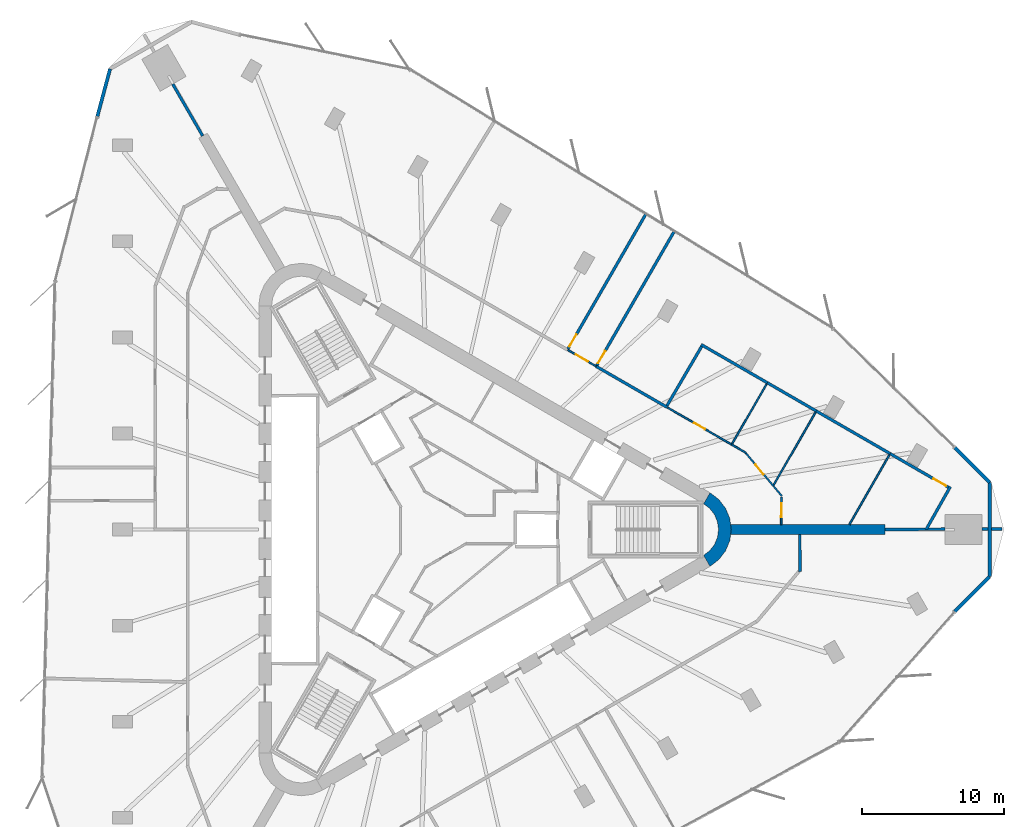
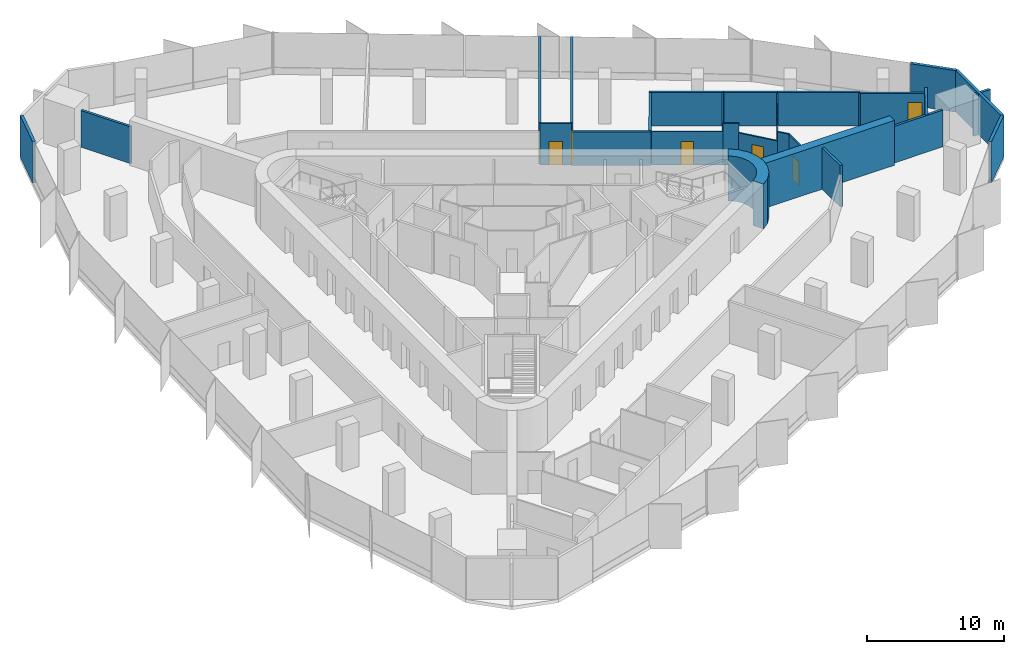
# One storey, part 12 of 14: 29 walls, 7 doors, 7 openings.
"""IFC4 building model written with IfcOpenShell, lengths in metres."""

from ifc_helpers import new_model, si_unit, direction, frame, frame_2d, origin, place, context, subcontext, project, spatial, polyline, rectangle, outline, extrude, material, layer, layer_set, type_object, element, fill, save


model = new_model("IFC4")

# Units and contexts
model_context = context("Model", 3, precision=1e-05, world=origin(), true_north=direction((0.0, 1.0)))
body_context = subcontext(model_context, "Body", "Model", "MODEL_VIEW")
ifc_project = project(units=[si_unit("LENGTHUNIT", "METRE"), si_unit("AREAUNIT", "SQUARE_METRE"), si_unit("VOLUMEUNIT", "CUBIC_METRE"), si_unit("PLANEANGLEUNIT", "RADIAN"), si_unit("MASSUNIT", "GRAM", prefix="KILO")], contexts=[model_context])

# Site, building, storey
site_placement = place(None, origin())
site = spatial("IfcSite", under=ifc_project, at=site_placement, CompositionType="ELEMENT")
building_placement = place(site_placement, origin())
building = spatial("IfcBuilding", under=site, at=building_placement, Name="Tanit Gate Tower", CompositionType="ELEMENT")
storey_placement = place(building_placement, frame((0.0, 0.0, 241.199951171875)))
storey = spatial("IfcBuildingStorey", under=building, at=storey_placement, Name="L54", CompositionType="ELEMENT", Elevation=241.199951171875)

# Walls
ifc_material_1 = material(Name="Concrete C50/60", Category="concrete")
ifc_layer_1 = layer(ifc_material_1, 0.699951171875)
ifc_layer_set_1 = layer_set([ifc_layer_1], Name="BUTTRESS FIN 700 C50/60")
wall_type_1 = type_object("IfcWallType", Name="BUTTRESS FIN 700 C50/60", PredefinedType="SHEAR", material=ifc_layer_set_1)
wall_1_placement = place(storey_placement, frame((21.14990234375, 0.0, 0.0), z_axis=(0.0, 0.0, 1.0), x_axis=(1.0, 0.0, 0.0)))
element("IfcWall", 1, at=wall_1_placement, inside=storey, type_object=wall_type_1, Name="BUTTRESS FIN", PredefinedType="SHEAR", context=body_context, shape_type="SweptSolid", body=[
    extrude(rectangle(XDim=10.900390625, YDim=0.699951171875, at=frame_2d((5.4501953125, 0.0))), origin(), (0.0, 0.0, 1.0), 4.0),
])
ifc_material_2 = material(Name="Concrete C50/60", Category="concrete")
ifc_layer_2 = layer(ifc_material_2, 0.89990234375)
ifc_layer_set_2 = layer_set([ifc_layer_2], Name="CORE WALL 900 C50/60")
wall_type_2 = type_object("IfcWallType", Name="CORE WALL 900 C50/60", PredefinedType="SHEAR", material=ifc_layer_set_2)
wall_2_placement = place(storey_placement, origin())
element("IfcWall", 2, at=wall_2_placement, inside=storey, type_object=wall_type_2, Name="CORE WALL CORNER", PredefinedType="SHEAR", context=body_context, shape_type="SweptSolid", body=[
    extrude(outline(polyline([(19.699951171875, -2.59814453125), (20.3212890625, -2.121337890625), (20.798095703125, -1.5), (21.097900390625, -0.776611328125), (21.199951171875, 0.0), (21.097900390625, 0.776611328125), (20.798095703125, 1.5), (20.3212890625, 2.121337890625), (19.699951171875, 2.59814453125), (19.25, 1.818603515625), (19.684814453125, 1.48486328125), (20.018798828125, 1.050048828125), (20.228515625, 0.54345703125), (20.300048828125, 0.0), (20.228515625, -0.54345703125), (20.018798828125, -1.050048828125), (19.684814453125, -1.48486328125), (19.25, -1.818603515625), (19.699951171875, -2.59814453125)])), origin(), (0.0, 0.0, 1.0), 4.0),
])
ifc_material_3 = material(Name="Concrete C30/37 with bronze anodised aluminium cladding", Category="concrete")
ifc_layer_3 = layer(ifc_material_3, 0.239990234375)
ifc_layer_set_3 = layer_set([ifc_layer_3], Name="Facade wall bronze clad 240")
wall_type_3 = type_object("IfcWallType", Name="Facade wall bronze clad 240", PredefinedType="SOLIDWALL", material=ifc_layer_set_3)
wall_3_placement = place(storey_placement, frame((-22.5791015625, 32.465576171875, 0.0), z_axis=(0.0, 0.0, 1.0), x_axis=(-0.25885800589, -0.965915385935, 0.0)))
element("IfcWall", 3, at=wall_3_placement, inside=storey, type_object=wall_type_3, Name="Bronze-clad facade wall L54 NW.arc3", PredefinedType="SOLIDWALL", context=body_context, shape_type="SweptSolid", body=[
    extrude(rectangle(XDim=3.4697265625, YDim=0.239990234375, at=frame_2d((1.73486328125, 0.0))), origin(), (0.0, 0.0, 1.0), 3.699951171875),
])
wall_4_placement = place(storey_placement, frame((36.948974609375, -5.77783203125, 0.0), z_axis=(0.0, 0.0, 1.0), x_axis=(0.707141916054, 0.707071644573, 0.0)))
element("IfcWall", 4, at=wall_4_placement, inside=storey, type_object=wall_type_3, Name="Bronze-clad facade wall L54 E.arc1", PredefinedType="SOLIDWALL", context=body_context, shape_type="SweptSolid", body=[
    extrude(rectangle(XDim=3.474365234375, YDim=0.239990234375, at=frame_2d((1.7373046875, 0.0))), origin(), (0.0, 0.0, 1.0), 3.699951171875),
])
wall_5_placement = place(storey_placement, frame((39.40576171875, -3.3212890625, 0.0), z_axis=(0.0, 0.0, 1.0), x_axis=(0.0, 1.0, 0.0)))
element("IfcWall", 5, at=wall_5_placement, inside=storey, type_object=wall_type_3, Name="Bronze-clad facade wall L54 E.arc2", PredefinedType="SOLIDWALL", context=body_context, shape_type="SweptSolid", body=[
    extrude(rectangle(XDim=6.642578125, YDim=0.239990234375, at=frame_2d((3.3212890625, 0.0))), origin(), (0.0, 0.0, 1.0), 3.699951171875),
])
wall_6_placement = place(storey_placement, frame((39.40576171875, 3.3212890625, 0.0), z_axis=(0.0, 0.0, 1.0), x_axis=(-0.707106781187, 0.707106781187, 0.0)))
element("IfcWall", 6, at=wall_6_placement, inside=storey, type_object=wall_type_3, Name="Bronze-clad facade wall L54 E.arc3", PredefinedType="SOLIDWALL", context=body_context, shape_type="SweptSolid", body=[
    extrude(rectangle(XDim=3.469970703125, YDim=0.239990234375, at=frame_2d((1.73486328125, 0.0))), origin(), (0.0, 0.0, 1.0), 3.699951171875),
])
ifc_material_4 = material(Name="Fire-rated gypsum board partition")
ifc_layer_4 = layer(ifc_material_4, 0.199951171875)
ifc_layer_set_4 = layer_set([ifc_layer_4], Name="INT-WALL-COMPARTMENT")
wall_type_4 = type_object("IfcWallType", Name="INT-WALL-COMPARTMENT", PredefinedType="PARTITIONING", material=ifc_layer_set_4)
wall_7_placement = place(storey_placement, frame((16.6728515625, 8.6181640625, 0.0), z_axis=(0.0, 0.0, 1.0), x_axis=(-0.866014659605, 0.500018609004, 0.0)))
element("IfcWall", 7, at=wall_7_placement, inside=storey, type_object=wall_type_4, Name="Wall Compartment W107", PredefinedType="PARTITIONING", context=body_context, shape_type="SweptSolid", body=[
    extrude(rectangle(XDim=5.780029296875, YDim=0.199951171875, at=frame_2d((2.89013671875, 0.0))), origin(), (0.0, 0.0, 1.0), 2.97998046875),
])
wall_8_placement = place(storey_placement, frame((26.04736328125, -2.972412109375, 0.0), z_axis=(0.0, 0.0, 1.0), x_axis=(-0.010519853563, 0.99994466481, 0.0)))
element("IfcWall", 8, at=wall_8_placement, inside=storey, type_object=wall_type_4, Name="Wall Compartment W114", PredefinedType="PARTITIONING", context=body_context, shape_type="SweptSolid", body=[
    extrude(rectangle(XDim=2.62255859375, YDim=0.199951171875, at=frame_2d((1.311279296875, 0.0))), origin(), (0.0, 0.0, 1.0), 3.699951171875),
])
wall_9_placement = place(storey_placement, frame((-18.160888671875, 31.3955078125, 0.0), z_axis=(0.0, 0.0, 1.0), x_axis=(0.500034652011, -0.866005396512, 0.0)))
element("IfcWall", 9, at=wall_9_placement, inside=storey, type_object=wall_type_4, Name="Wall Compartment W130", PredefinedType="PARTITIONING", context=body_context, shape_type="SweptSolid", body=[
    extrude(rectangle(XDim=4.219482421875, YDim=0.199951171875, at=frame_2d((2.10986328125, 0.0))), origin(), (0.0, 0.0, 1.0), 3.27001953125),
])

# Wall, opening, door
wall_10_placement = place(storey_placement, frame((15.18701171875, 22.244873046875, 0.0), z_axis=(0.0, 0.0, 1.0), x_axis=(-0.49999723543, -0.866026999904, 0.0)))
wall_10 = element("IfcWall", 10, at=wall_10_placement, inside=storey, type_object=wall_type_4, Name="Wall Compartment W131", PredefinedType="PARTITIONING", context=body_context, shape_type="SweptSolid", body=[
    extrude(rectangle(XDim=10.998046875, YDim=0.199951171875, at=frame_2d((5.4990234375, 0.0))), origin(), (0.0, 0.0, 1.0), 3.699951171875),
])
opening_1_placement = place(wall_10_placement, frame((9.798095703125, 0.0, 0.0)))
opening_1 = element("IfcOpeningElement", 11, at=opening_1_placement, cuts=wall_10, Name="Opening F10-S15-35", PredefinedType="OPENING", context=body_context, shape_type="SweptSolid", body=[
    extrude(rectangle(XDim=1.0, YDim=2.10009765625, at=frame_2d((0.5, 1.050048828125))), frame((0.0, 0.10986328125, 0.0), z_axis=(0.0, -1.0, 0.0), x_axis=(1.0, 0.0, 0.0)), (0.0, 0.0, 1.0), 0.219970703125),
])
ifc_material_5 = material(Name="Fire-rated steel door leaf", Category="steel")
door_type_1 = type_object("IfcDoorType", Name="INT-DOOR-FIRE-1000", OperationType="NOTDEFINED", PredefinedType="USERDEFINED", material=ifc_material_5)
door_1_placement = place(opening_1_placement, origin())
door_1 = element("IfcDoor", 12, at=door_1_placement, inside=storey, type_object=door_type_1, Name="Door F10-S15-35", ObjectType="FIRE DOOR", OperationType="SINGLE_SWING_LEFT", OverallHeight=2.10009765625, OverallWidth=1.0, PredefinedType="USERDEFINED", context=body_context, shape_type="SweptSolid", body=[
    extrude(rectangle(XDim=1.0, YDim=2.10009765625, at=frame_2d((0.5, 1.050048828125))), frame((0.0, 0.02490234375, 0.0), z_axis=(0.0, -1.0, 0.0), x_axis=(1.0, 0.0, 0.0)), (0.0, 0.0, 1.0), 0.050048828125),
])
fill(opening_1, door_1)

wall_11_placement = place(storey_placement, frame((11.714599609375, 11.550048828125, 0.0), z_axis=(0.0, 0.0, 1.0), x_axis=(0.499999401607, 0.866025749266, 0.0)))
wall_11 = element("IfcWall", 13, at=wall_11_placement, inside=storey, type_object=wall_type_4, Name="Wall Compartment W132", PredefinedType="PARTITIONING", context=body_context, shape_type="SweptSolid", body=[
    extrude(rectangle(XDim=10.9375, YDim=0.199951171875, at=frame_2d((5.46875, 0.0))), origin(), (0.0, 0.0, 1.0), 3.699951171875),
])
opening_2_placement = place(wall_11_placement, frame((0.199951171875, 0.0, 0.0)))
opening_2 = element("IfcOpeningElement", 14, at=opening_2_placement, cuts=wall_11, Name="Opening F10-S15-36", PredefinedType="OPENING", context=body_context, shape_type="SweptSolid", body=[
    extrude(rectangle(XDim=1.0, YDim=2.10009765625, at=frame_2d((0.5, 1.050048828125))), frame((0.0, 0.10986328125, 0.0), z_axis=(0.0, -1.0, 0.0), x_axis=(1.0, 0.0, 0.0)), (0.0, 0.0, 1.0), 0.219970703125),
])
door_2_placement = place(opening_2_placement, origin())
door_2 = element("IfcDoor", 15, at=door_2_placement, inside=storey, type_object=door_type_1, Name="Door F10-S15-36", ObjectType="FIRE DOOR", OperationType="SINGLE_SWING_RIGHT", OverallHeight=2.10009765625, OverallWidth=1.0, PredefinedType="USERDEFINED", context=body_context, shape_type="SweptSolid", body=[
    extrude(rectangle(XDim=1.0, YDim=2.10009765625, at=frame_2d((0.5, 1.050048828125))), frame((0.0, 0.02490234375, 0.0), z_axis=(0.0, -1.0, 0.0), x_axis=(1.0, 0.0, 0.0)), (0.0, 0.0, 1.0), 0.050048828125),
])
fill(opening_2, door_2)

# Walls
wall_12_placement = place(storey_placement, frame((40.28759765625, 0.030029296875, 0.0), z_axis=(0.0, 0.0, 1.0), x_axis=(-1.0, 0.0, 0.0)))
element("IfcWall", 16, at=wall_12_placement, inside=storey, type_object=wall_type_4, Name="Wall Compartment W135", PredefinedType="PARTITIONING", context=body_context, shape_type="SweptSolid", body=[
    extrude(rectangle(XDim=0.761962890625, YDim=0.199951171875, at=frame_2d((0.380859375, 0.0))), origin(), (0.0, 0.0, 1.0), 3.699951171875),
])
wall_13_placement = place(storey_placement, frame((39.28564453125, 0.030029296875, 0.0), z_axis=(0.0, 0.0, 1.0), x_axis=(-1.0, 0.0, 0.0)))
element("IfcWall", 17, at=wall_13_placement, inside=storey, type_object=wall_type_4, Name="Wall Compartment W135x1", PredefinedType="PARTITIONING", context=body_context, shape_type="SweptSolid", body=[
    extrude(rectangle(XDim=0.415771484375, YDim=0.199951171875, at=frame_2d((0.2080078125, 0.0))), origin(), (0.0, 0.0, 1.0), 3.699951171875),
])
wall_14_placement = place(storey_placement, frame((36.269775390625, 0.030029296875, 0.0), z_axis=(0.0, 0.0, 1.0), x_axis=(-0.999974676399, -0.007116639773, 0.0)))
element("IfcWall", 18, at=wall_14_placement, inside=storey, type_object=wall_type_4, Name="Wall Compartment W134", PredefinedType="PARTITIONING", context=body_context, shape_type="SweptSolid", body=[
    extrude(rectangle(XDim=4.219482421875, YDim=0.199951171875, at=frame_2d((2.10986328125, 0.0))), origin(), (0.0, 0.0, 1.0), 3.27001953125),
])
wall_15_placement = place(storey_placement, frame((19.0751953125, 13.039306640625, 0.0), z_axis=(0.0, 0.0, 1.0), x_axis=(0.866038526581, -0.499977269961, 0.0)))
element("IfcWall", 19, at=wall_15_placement, inside=storey, type_object=wall_type_4, Name="Wall Compartment W136", PredefinedType="PARTITIONING", context=body_context, shape_type="SweptSolid", body=[
    extrude(rectangle(XDim=5.390869140625, YDim=0.199951171875, at=frame_2d((2.6953125, 0.0))), origin(), (0.0, 0.0, 1.0), 2.97998046875),
])
wall_16_placement = place(storey_placement, frame((23.743896484375, 10.343994140625, 0.0), z_axis=(0.0, 0.0, 1.0), x_axis=(0.86599666964, -0.500049765695, 0.0)))
element("IfcWall", 20, at=wall_16_placement, inside=storey, type_object=wall_type_4, Name="Wall Compartment W138", PredefinedType="PARTITIONING", context=body_context, shape_type="SweptSolid", body=[
    extrude(rectangle(XDim=3.9814453125, YDim=0.199951171875, at=frame_2d((1.99072265625, 0.0))), origin(), (0.0, 0.0, 1.0), 2.97998046875),
])
wall_17_placement = place(storey_placement, frame((27.19189453125, 8.35302734375, 0.0), z_axis=(0.0, 0.0, 1.0), x_axis=(0.866025306899, -0.50000016781, 0.0)))
element("IfcWall", 21, at=wall_17_placement, inside=storey, type_object=wall_type_4, Name="Wall Compartment W139", PredefinedType="PARTITIONING", context=body_context, shape_type="SweptSolid", body=[
    extrude(rectangle(XDim=6.01171875, YDim=0.199951171875, at=frame_2d((3.005859375, 0.0))), origin(), (0.0, 0.0, 1.0), 2.97998046875),
])

# Wall, opening, door
wall_18_placement = place(storey_placement, frame((32.398193359375, 5.34716796875, 0.0), z_axis=(0.0, 0.0, 1.0), x_axis=(0.866036218949, -0.499981267118, 0.0)))
wall_18 = element("IfcWall", 22, at=wall_18_placement, inside=storey, type_object=wall_type_4, Name="Wall Compartment W141", PredefinedType="PARTITIONING", context=body_context, shape_type="SweptSolid", body=[
    extrude(rectangle(XDim=4.736083984375, YDim=0.199951171875, at=frame_2d((2.3681640625, 0.0))), origin(), (0.0, 0.0, 1.0), 2.880126953125),
])
opening_3_placement = place(wall_18_placement, frame((3.535888671875, 0.0, 0.0)))
opening_3 = element("IfcOpeningElement", 23, at=opening_3_placement, cuts=wall_18, Name="Opening F10-S15-25", PredefinedType="OPENING", context=body_context, shape_type="SweptSolid", body=[
    extrude(rectangle(XDim=1.0, YDim=2.10009765625, at=frame_2d((0.5, 1.050048828125))), frame((0.0, 0.10986328125, 0.0), z_axis=(0.0, -1.0, 0.0), x_axis=(1.0, 0.0, 0.0)), (0.0, 0.0, 1.0), 0.219970703125),
])
door_3_placement = place(opening_3_placement, origin())
door_3 = element("IfcDoor", 24, at=door_3_placement, inside=storey, type_object=door_type_1, Name="Door F10-S15-25", ObjectType="FIRE DOOR", OperationType="SINGLE_SWING_RIGHT", OverallHeight=2.10009765625, OverallWidth=1.0, PredefinedType="USERDEFINED", context=body_context, shape_type="SweptSolid", body=[
    extrude(rectangle(XDim=1.0, YDim=2.10009765625, at=frame_2d((0.5, 1.050048828125))), frame((0.0, 0.02490234375, 0.0), z_axis=(0.0, -1.0, 0.0), x_axis=(1.0, 0.0, 0.0)), (0.0, 0.0, 1.0), 0.050048828125),
])
fill(opening_3, door_3)

# Walls
wall_19_placement = place(storey_placement, frame((19.111328125, 12.903076171875, 0.0), z_axis=(0.0, 0.0, 1.0), x_axis=(-0.505159000856, -0.863026293837, 0.0)))
element("IfcWall", 25, at=wall_19_placement, inside=storey, type_object=wall_type_4, Name="Wall Compartment W137", PredefinedType="PARTITIONING", context=body_context, shape_type="SweptSolid", body=[
    extrude(rectangle(XDim=4.830078125, YDim=0.199951171875, at=frame_2d((2.4150390625, 0.0))), origin(), (0.0, 0.0, 1.0), 2.97998046875),
])
wall_20_placement = place(storey_placement, frame((34.9296875, 0.0, 0.0), z_axis=(0.0, 0.0, 1.0), x_axis=(0.49225689493, 0.870449969495, 0.0)))
element("IfcWall", 26, at=wall_20_placement, inside=storey, type_object=wall_type_4, Name="Wall Compartment W140", PredefinedType="PARTITIONING", context=body_context, shape_type="SweptSolid", body=[
    extrude(rectangle(XDim=3.46533203125, YDim=0.199951171875, at=frame_2d((1.732666015625, 0.0))), origin(), (0.0, 0.0, 1.0), 3.27001953125),
])
ifc_material_6 = material(Name="Gypsum board partition")
ifc_layer_5 = layer(ifc_material_6, 0.1201171875)
ifc_layer_set_5 = layer_set([ifc_layer_5], Name="INT-WALL-PARTITION")
wall_type_5 = type_object("IfcWallType", Name="INT-WALL-PARTITION", PredefinedType="PARTITIONING", material=ifc_layer_set_5)
wall_21_placement = place(storey_placement, frame((22.235595703125, 5.406494140625, 0.0), z_axis=(0.0, 0.0, 1.0), x_axis=(-0.866024722723, 0.500001179632, 0.0)))
element("IfcWall", 27, at=wall_21_placement, inside=storey, type_object=wall_type_5, Name="Wall Partition W109", PredefinedType="PARTITIONING", context=body_context, shape_type="SweptSolid", body=[
    extrude(rectangle(XDim=1.16259765625, YDim=0.1201171875, at=frame_2d((0.581298828125, 0.0))), origin(), (0.0, 0.0, 1.0), 3.699951171875),
])

# Wall, opening, door
wall_22_placement = place(storey_placement, frame((21.228759765625, 5.98779296875, 0.0), z_axis=(0.0, 0.0, 1.0), x_axis=(-0.866024383922, 0.50000176645, 0.0)))
wall_22 = element("IfcWall", 28, at=wall_22_placement, inside=storey, type_object=wall_type_5, Name="Wall Partition W108", PredefinedType="PARTITIONING", context=body_context, shape_type="SweptSolid", body=[
    extrude(rectangle(XDim=5.220703125, YDim=0.1201171875, at=frame_2d((2.6103515625, 0.0))), origin(), (0.0, 0.0, 1.0), 2.97998046875),
])
opening_4_placement = place(wall_22_placement, frame((2.160400390625, 0.0, 0.0)))
opening_4 = element("IfcOpeningElement", 29, at=opening_4_placement, cuts=wall_22, Name="Opening D09-S15-22", PredefinedType="OPENING", context=body_context, shape_type="SweptSolid", body=[
    extrude(rectangle(XDim=0.89990234375, YDim=2.10009765625, at=frame_2d((0.449951171875, 1.050048828125))), frame((0.0, 0.070068359375, 0.0), z_axis=(0.0, -1.0, 0.0), x_axis=(1.0, 0.0, 0.0)), (0.0, 0.0, 1.0), 0.14013671875),
])
ifc_material_7 = material(Name="Timber door leaf", Category="wood")
door_type_2 = type_object("IfcDoorType", Name="INT-DOOR-SINGLE-900", OperationType="NOTDEFINED", PredefinedType="NOTDEFINED", material=ifc_material_7)
door_4_placement = place(opening_4_placement, origin())
door_4 = element("IfcDoor", 30, at=door_4_placement, inside=storey, type_object=door_type_2, Name="Door D09-S15-22", OperationType="SINGLE_SWING_RIGHT", OverallHeight=2.10009765625, OverallWidth=0.89990234375, PredefinedType="NOTDEFINED", context=body_context, shape_type="SweptSolid", body=[
    extrude(rectangle(XDim=0.89990234375, YDim=2.10009765625, at=frame_2d((0.449951171875, 1.050048828125))), frame((0.0, 0.02490234375, 0.0), z_axis=(0.0, -1.0, 0.0), x_axis=(1.0, 0.0, 0.0)), (0.0, 0.0, 1.0), 0.050048828125),
])
fill(opening_4, door_4)

wall_23_placement = place(storey_placement, frame((11.667236328125, 11.50830078125, 0.0), z_axis=(0.0, 0.0, 1.0), x_axis=(-0.866053019151, 0.499952165731, 0.0)))
wall_23 = element("IfcWall", 31, at=wall_23_placement, inside=storey, type_object=wall_type_5, Name="Wall Partition W102", PredefinedType="PARTITIONING", context=body_context, shape_type="SweptSolid", body=[
    extrude(rectangle(XDim=2.300048828125, YDim=0.1201171875, at=frame_2d((1.14990234375, 0.0))), origin(), (0.0, 0.0, 1.0), 3.699951171875),
])
opening_5_placement = place(wall_23_placement, frame((0.64990234375, 0.0, 0.0)))
opening_5 = element("IfcOpeningElement", 32, at=opening_5_placement, cuts=wall_23, Name="Opening D10-S15-20", PredefinedType="OPENING", context=body_context, shape_type="SweptSolid", body=[
    extrude(rectangle(XDim=1.0, YDim=2.10009765625, at=frame_2d((0.5, 1.050048828125))), frame((0.0, 0.070068359375, 0.0), z_axis=(0.0, -1.0, 0.0), x_axis=(1.0, 0.0, 0.0)), (0.0, 0.0, 1.0), 0.14013671875),
])
ifc_material_8 = material(Name="Timber door leaf", Category="wood")
door_type_3 = type_object("IfcDoorType", Name="INT-DOOR-SINGLE-1000", OperationType="NOTDEFINED", PredefinedType="NOTDEFINED", material=ifc_material_8)
door_5_placement = place(opening_5_placement, origin())
door_5 = element("IfcDoor", 33, at=door_5_placement, inside=storey, type_object=door_type_3, Name="Door D10-S15-20", OperationType="SINGLE_SWING_LEFT", OverallHeight=2.10009765625, OverallWidth=1.0, PredefinedType="NOTDEFINED", context=body_context, shape_type="SweptSolid", body=[
    extrude(rectangle(XDim=1.0, YDim=2.10009765625, at=frame_2d((0.5, 1.050048828125))), frame((0.0, 0.02490234375, 0.0), z_axis=(0.0, -1.0, 0.0), x_axis=(1.0, 0.0, 0.0)), (0.0, 0.0, 1.0), 0.050048828125),
])
fill(opening_5, door_5)

# Wall
wall_24_placement = place(storey_placement, frame((24.760498046875, 2.365478515625, 0.0), z_axis=(0.0, 0.0, 1.0), x_axis=(-0.642800124371, 0.766033941878, 0.0)))
element("IfcWall", 34, at=wall_24_placement, inside=storey, type_object=wall_type_5, Name="Wall Partition W111", PredefinedType="PARTITIONING", context=body_context, shape_type="SweptSolid", body=[
    extrude(rectangle(XDim=0.93505859375, YDim=0.1201171875, at=frame_2d((0.467529296875, 0.0))), origin(), (0.0, 0.0, 1.0), 3.699951171875),
])

# Wall, opening, door
wall_25_placement = place(storey_placement, frame((24.159423828125, 3.081787109375, 0.0), z_axis=(0.0, 0.0, 1.0), x_axis=(-0.642770249036, 0.766059010099, 0.0)))
wall_25 = element("IfcWall", 35, at=wall_25_placement, inside=storey, type_object=wall_type_5, Name="Wall Partition W110", PredefinedType="PARTITIONING", context=body_context, shape_type="SweptSolid", body=[
    extrude(rectangle(XDim=3.013916015625, YDim=0.1201171875, at=frame_2d((1.5068359375, 0.0))), origin(), (0.0, 0.0, 1.0), 2.880126953125),
])
opening_6_placement = place(wall_25_placement, frame((1.056884765625, 0.0, 0.0)))
opening_6 = element("IfcOpeningElement", 36, at=opening_6_placement, cuts=wall_25, Name="Opening D09-S15-23", PredefinedType="OPENING", context=body_context, shape_type="SweptSolid", body=[
    extrude(rectangle(XDim=0.89990234375, YDim=2.10009765625, at=frame_2d((0.449951171875, 1.050048828125))), frame((0.0, 0.070068359375, 0.0), z_axis=(0.0, -1.0, 0.0), x_axis=(1.0, 0.0, 0.0)), (0.0, 0.0, 1.0), 0.14013671875),
])
door_6_placement = place(opening_6_placement, origin())
door_6 = element("IfcDoor", 37, at=door_6_placement, inside=storey, type_object=door_type_2, Name="Door D09-S15-23", OperationType="SINGLE_SWING_RIGHT", OverallHeight=2.10009765625, OverallWidth=0.89990234375, PredefinedType="NOTDEFINED", context=body_context, shape_type="SweptSolid", body=[
    extrude(rectangle(XDim=0.89990234375, YDim=2.10009765625, at=frame_2d((0.449951171875, 1.050048828125))), frame((0.0, 0.02490234375, 0.0), z_axis=(0.0, -1.0, 0.0), x_axis=(1.0, 0.0, 0.0)), (0.0, 0.0, 1.0), 0.050048828125),
])
fill(opening_6, door_6)

wall_26_placement = place(storey_placement, frame((24.720703125, 0.35009765625, 0.0), z_axis=(0.0, 0.0, 1.0), x_axis=(0.012579203405, 0.999920878691, 0.0)))
wall_26 = element("IfcWall", 38, at=wall_26_placement, inside=storey, type_object=wall_type_5, Name="Wall Partition W112", PredefinedType="PARTITIONING", context=body_context, shape_type="SweptSolid", body=[
    extrude(rectangle(XDim=1.94091796875, YDim=0.1201171875, at=frame_2d((0.970458984375, 0.0))), origin(), (0.0, 0.0, 1.0), 3.699951171875),
])
opening_7_placement = place(wall_26_placement, frame((0.5205078125, 0.0, 0.0)))
opening_7 = element("IfcOpeningElement", 39, at=opening_7_placement, cuts=wall_26, Name="Opening D10-S15-24", PredefinedType="OPENING", context=body_context, shape_type="SweptSolid", body=[
    extrude(rectangle(XDim=1.0, YDim=2.10009765625, at=frame_2d((0.5, 1.050048828125))), frame((0.0, 0.070068359375, 0.0), z_axis=(0.0, -1.0, 0.0), x_axis=(1.0, 0.0, 0.0)), (0.0, 0.0, 1.0), 0.14013671875),
])
door_7_placement = place(opening_7_placement, origin())
door_7 = element("IfcDoor", 40, at=door_7_placement, inside=storey, type_object=door_type_3, Name="Door D10-S15-24", OperationType="SINGLE_SWING_RIGHT", OverallHeight=2.10009765625, OverallWidth=1.0, PredefinedType="NOTDEFINED", context=body_context, shape_type="SweptSolid", body=[
    extrude(rectangle(XDim=1.0, YDim=2.10009765625, at=frame_2d((0.5, 1.050048828125))), frame((0.0, 0.02490234375, 0.0), z_axis=(0.0, -1.0, 0.0), x_axis=(1.0, 0.0, 0.0)), (0.0, 0.0, 1.0), 0.050048828125),
])
fill(opening_7, door_7)

# Walls
wall_27_placement = place(storey_placement, frame((21.2587890625, 6.039794921875, 0.0), z_axis=(0.0, 0.0, 1.0), x_axis=(0.500010305712, 0.866019453697, 0.0)))
element("IfcWall", 41, at=wall_27_placement, inside=storey, type_object=wall_type_5, Name="Wall Partition W152", PredefinedType="PARTITIONING", context=body_context, shape_type="SweptSolid", body=[
    extrude(rectangle(XDim=4.8701171875, YDim=0.1201171875, at=frame_2d((2.43505859375, 0.0))), origin(), (0.0, 0.0, 1.0), 2.97998046875),
])
wall_28_placement = place(storey_placement, frame((27.14208984375, 8.2666015625, 0.0), z_axis=(0.0, 0.0, 1.0), x_axis=(-0.499992838882, -0.866029538218, 0.0)))
element("IfcWall", 42, at=wall_28_placement, inside=storey, type_object=wall_type_5, Name="Wall Partition W153", PredefinedType="PARTITIONING", context=body_context, shape_type="SweptSolid", body=[
    extrude(rectangle(XDim=5.9140625, YDim=0.1201171875, at=frame_2d((2.95703125, 0.0))), origin(), (0.0, 0.0, 1.0), 2.880126953125),
])
wall_29_placement = place(storey_placement, frame((29.517578125, 0.35009765625, 0.0), z_axis=(0.0, 0.0, 1.0), x_axis=(0.499424120211, 0.866357632939, 0.0)))
element("IfcWall", 43, at=wall_29_placement, inside=storey, type_object=wall_type_5, Name="Wall Partition W154", PredefinedType="PARTITIONING", context=body_context, shape_type="SweptSolid", body=[
    extrude(rectangle(XDim=5.668212890625, YDim=0.1201171875, at=frame_2d((2.833984375, 0.0))), origin(), (0.0, 0.0, 1.0), 2.880126953125),
])

save(model, "model.ifc")
